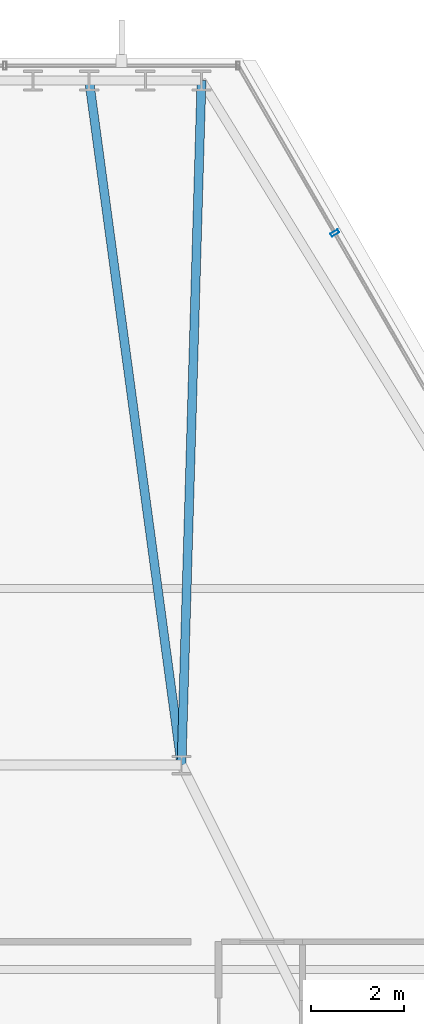
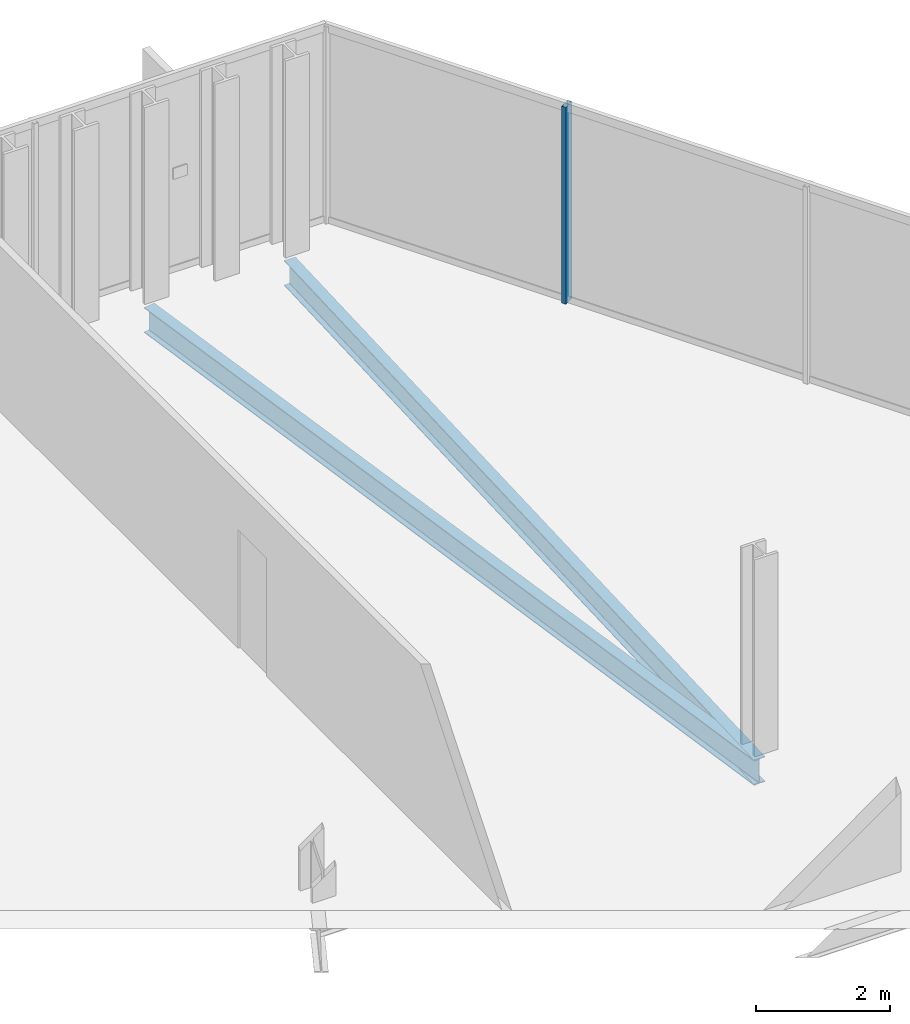
# One storey, part 24 of 35: 2 beams, 1 member, 1 element without a shape of its own.
"""IFC4 building model written with IfcOpenShell, lengths in metres."""

from ifc_helpers import new_model, si_unit, direction, frame, origin, origin_2d, place, context, subcontext, project, spatial, hollow_rectangle, i_section, extrude, material, layer, layer_set, material_profile, profile_set, type_object, element, aggregate, save


model = new_model("IFC4")

# Units and contexts
model_context = context("Model", 3, precision=1e-05, world=origin(), true_north=direction((0.0, 1.0)))
body_context = subcontext(model_context, "Body", "Model", "MODEL_VIEW")
ifc_project = project(units=[si_unit("LENGTHUNIT", "METRE"), si_unit("AREAUNIT", "SQUARE_METRE"), si_unit("VOLUMEUNIT", "CUBIC_METRE"), si_unit("PLANEANGLEUNIT", "RADIAN"), si_unit("MASSUNIT", "GRAM", prefix="KILO")], contexts=[model_context])

# Site, building, storey
site_placement = place(None, origin())
site = spatial("IfcSite", under=ifc_project, at=site_placement, CompositionType="ELEMENT")
building_placement = place(site_placement, origin())
building = spatial("IfcBuilding", under=site, at=building_placement, Name="Ndaravel Arena Tower", CompositionType="ELEMENT")
storey_placement = place(building_placement, frame((0.0, 0.0, 172.60009765625)))
storey = spatial("IfcBuildingStorey", under=building, at=storey_placement, Name="L41", CompositionType="ELEMENT", Elevation=172.60009765625)

# Beams
ifc_material_1 = material(Name="Steel S355", Category="steel")
ifc_material_profile_1 = material_profile(ifc_material_1, i_section(OverallWidth=0.19140625, OverallDepth=0.4599609375, WebThickness=0.010009765625, FlangeThickness=0.01611328125, FilletRadius=0.01025390625, at=origin_2d()), Name="UB 457x191x82")
ifc_profile_set_1 = profile_set([ifc_material_profile_1], Name="Steel S355")
beam_type = type_object("IfcBeamType", Name="BM-GIRD-UB457", PredefinedType="BEAM", material=ifc_profile_set_1)
beam_1_placement = place(storey_placement, frame((46.229736328125, 45.92822265625, -0.4501953125), z_axis=(-0.029161925391, -0.999574700614, 0.0), x_axis=(0.999574700614, -0.029161925391, 0.0)))
element("IfcBeam", 1, at=beam_1_placement, inside=storey, type_object=beam_type, Name="L41 Radial Floor Girder FG-11", PredefinedType="BEAM", context=body_context, shape_type="SweptSolid", body=[
    extrude(i_section(OverallWidth=0.19140625, OverallDepth=0.4599609375, WebThickness=0.010009765625, FlangeThickness=0.01611328125, FilletRadius=0.01025390625, at=origin_2d()), origin(), (0.0, 0.0, 1.0), 14.734619140625),
])
beam_2_placement = place(storey_placement, frame((43.812744140625, 45.92822265625, -0.4501953125), z_axis=(0.133719502898, -0.991019220068, 0.0), x_axis=(0.991019220068, 0.133719502898, 0.0)))
element("IfcBeam", 2, at=beam_2_placement, inside=storey, type_object=beam_type, Name="L41 Radial Floor Girder FG-13", PredefinedType="BEAM", context=body_context, shape_type="SweptSolid", body=[
    extrude(i_section(OverallWidth=0.19140625, OverallDepth=0.4599609375, WebThickness=0.010009765625, FlangeThickness=0.01611328125, FilletRadius=0.01025390625, at=origin_2d()), origin(), (0.0, 0.0, 1.0), 14.86181640625),
])

# Curtain wall, member
ifc_material_2 = material(Name="Aluminium", Category="aluminium")
ifc_layer = layer(ifc_material_2, 0.179931640625)
ifc_layer_set = layer_set([ifc_layer], Name="Aluminium")
curtain_wall_type = type_object("IfcCurtainWallType", Name="CW-SYS-03", PredefinedType="NOTDEFINED", material=ifc_layer_set)
curtain_wall_placement = place(storey_placement, origin())
curtain_wall = element("IfcCurtainWall", 3, at=curtain_wall_placement, inside=storey, type_object=curtain_wall_type, Name="L41 Faceted Crystal Curtain Wall CW-L41-E03", PredefinedType="NOTDEFINED")
ifc_material_3 = material(Name="Aluminium", Category="aluminium")
ifc_material_profile_2 = material_profile(ifc_material_3, hollow_rectangle(XDim=0.074951171875, YDim=0.179931640625, WallThickness=0.00390625, at=origin_2d()), Name="CW MULLION 75x180x4")
ifc_profile_set_2 = profile_set([ifc_material_profile_2], Name="Aluminium")
member_type = type_object("IfcMemberType", Name="MEM-CW-MUL180", PredefinedType="MULLION", material=ifc_profile_set_2)
member_placement = place(storey_placement, frame((49.096923828125, 42.648681640625, 0.0), z_axis=(0.0, 0.0, 1.0), x_axis=(-0.5, 0.866025403784, 0.0)))
member = element("IfcMember", 4, at=member_placement, type_object=member_type, Name="CW-L41-E03 Mullion 08", PredefinedType="MULLION", context=body_context, shape_type="SweptSolid", body=[
    extrude(hollow_rectangle(XDim=0.074951171875, YDim=0.179931640625, WallThickness=0.00390625, at=origin_2d()), origin(), (0.0, 0.0, 1.0), 3.579833984375),
])
aggregate(curtain_wall, [member])

save(model, "model.ifc")
